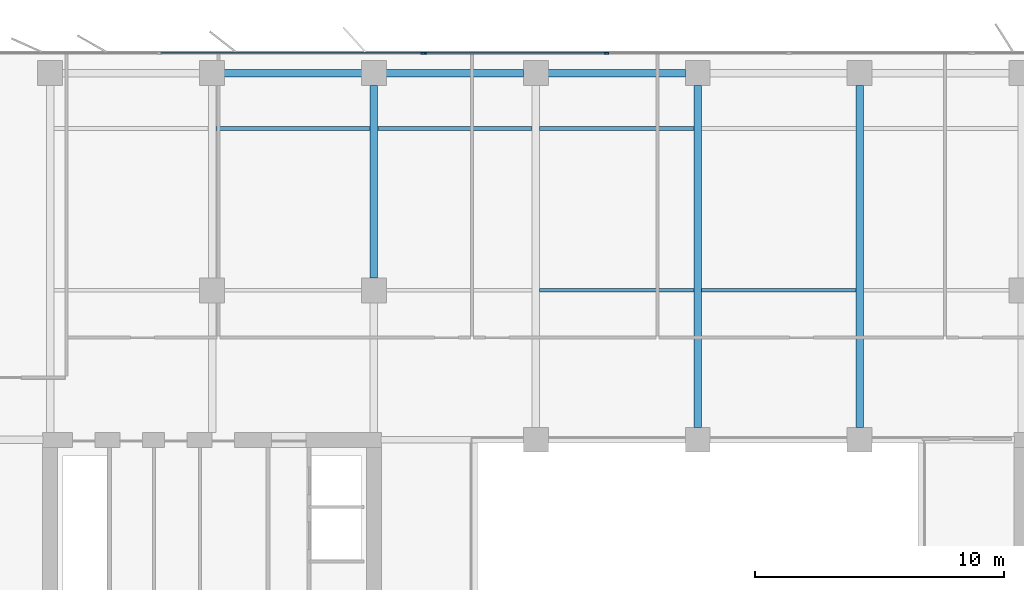
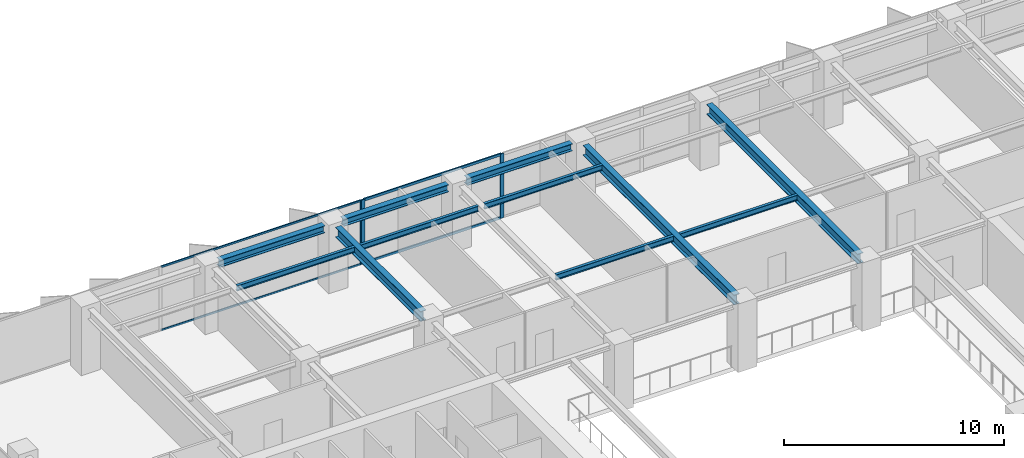
# One storey, part 9 of 22: 11 beams, 7 members, 2 elements without a shape of their own.
"""IFC4 building model written with IfcOpenShell, lengths in metres."""

from ifc_helpers import new_model, si_unit, direction, frame, origin, origin_2d, place, context, subcontext, project, spatial, rectangle, i_section, extrude, material, layer, layer_set, material_profile, profile_set, type_object, element, aggregate, save


model = new_model("IFC4")

# Units and contexts
model_context = context("Model", 3, precision=1e-05, world=origin(), true_north=direction((0.0, 1.0)))
body_context = subcontext(model_context, "Body", "Model", "MODEL_VIEW")
ifc_project = project(units=[si_unit("LENGTHUNIT", "METRE"), si_unit("AREAUNIT", "SQUARE_METRE"), si_unit("VOLUMEUNIT", "CUBIC_METRE"), si_unit("PLANEANGLEUNIT", "RADIAN"), si_unit("MASSUNIT", "GRAM", prefix="KILO")], contexts=[model_context])

# Site, building, storey
site_placement = place(None, origin())
site = spatial("IfcSite", under=ifc_project, at=site_placement, CompositionType="ELEMENT")
building_placement = place(site_placement, origin())
building = spatial("IfcBuilding", under=site, at=building_placement, Name="Putna Gate Headquarters", CompositionType="ELEMENT")
storey_placement = place(building_placement, frame((0.0, 0.0, 182.199951171875)))
storey = spatial("IfcBuildingStorey", under=building, at=storey_placement, Name="L45", CompositionType="ELEMENT", Elevation=182.199951171875)

# Beams
ifc_material_1 = material(Name="Steel S355J2", Category="steel")
ifc_material_profile_1 = material_profile(ifc_material_1, i_section(OverallWidth=0.300048828125, OverallDepth=0.550048828125, WebThickness=0.014892578125, FlangeThickness=0.029052734375, at=origin_2d()), Name="Steel S355J2")
ifc_profile_set_1 = profile_set([ifc_material_profile_1], Name="Steel S355J2")
beam_type_1 = type_object("IfcBeamType", Name="BM-GIRD-Z3-HEB550", PredefinedType="USERDEFINED", material=ifc_profile_set_1)
beam_placement = place(storey_placement, frame((26.0, 39.488037109375, 3.297119140625), z_axis=(0.0, 1.0, 0.0), x_axis=(-1.0, 0.0, 0.0)))
element("IfcBeam", 1, at=beam_placement, inside=storey, type_object=beam_type_1, Name="L45 North Primary Girder X26-2", ObjectType="GIRDER", PredefinedType="USERDEFINED", context=body_context, shape_type="SweptSolid", body=[
    extrude(i_section(OverallWidth=0.300048828125, OverallDepth=0.550048828125, WebThickness=0.014892578125, FlangeThickness=0.029052734375, at=origin_2d()), origin(), (0.0, 0.0, 1.0), 7.743896484375),
])
for number, where, z_axis, x_axis, name in (
    (2, (39.0, 33.488037109375, 3.297119140625), (0.0, 1.0, 0.0), (-1.0, 0.0, 0.0), "L45 North Primary Girder X39"),
    (3, (45.5, 33.488037109375, 3.297119140625), (0.0, 1.0, 0.0), (-1.0, 0.0, 0.0), "L45 North Primary Girder X45"),
):
    element("IfcBeam", number, at=place(storey_placement, frame(where, z_axis=z_axis, x_axis=x_axis)), inside=storey, type_object=beam_type_1, Name=name, ObjectType="GIRDER", PredefinedType="USERDEFINED", context=body_context, shape_type="SweptSolid", body=[
        extrude(i_section(OverallWidth=0.300048828125, OverallDepth=0.550048828125, WebThickness=0.014892578125, FlangeThickness=0.029052734375, at=origin_2d()), origin(), (0.0, 0.0, 1.0), 13.743896484375),
    ])
ifc_material_profile_2 = material_profile(ifc_material_1, i_section(OverallWidth=0.14990234375, OverallDepth=0.300048828125, WebThickness=0.007080078125, FlangeThickness=0.0107421875, at=origin_2d()), Name="Steel S355J2")
ifc_profile_set_2 = profile_set([ifc_material_profile_2], Name="Steel S355J2")
beam_type_2 = type_object("IfcBeamType", Name="BM-SEC-Z3-IPE300", PredefinedType="JOIST", material=ifc_profile_set_2)
for number, where, z_axis, x_axis, name in (
    (4, (19.654052734375, 45.5, 3.422119140625), (1.0, 0.0, 0.0), (0.0, 1.0, 0.0), "L45 North Secondary Beam 2"),
    (5, (26.154052734375, 45.5, 3.422119140625), (1.0, 0.0, 0.0), (0.0, 1.0, 0.0), "L45 North Secondary Beam 3"),
    (6, (32.654052734375, 39.0, 3.422119140625), (1.0, 0.0, 0.0), (0.0, 1.0, 0.0), "L45 North Secondary Beam 4"),
    (7, (32.654052734375, 45.5, 3.422119140625), (1.0, 0.0, 0.0), (0.0, 1.0, 0.0), "L45 North Secondary Beam 4"),
    (8, (39.154052734375, 39.0, 3.422119140625), (1.0, 0.0, 0.0), (0.0, 1.0, 0.0), "L45 North Secondary Beam 5"),
):
    element("IfcBeam", number, at=place(storey_placement, frame(where, z_axis=z_axis, x_axis=x_axis)), inside=storey, type_object=beam_type_2, Name=name, PredefinedType="JOIST", context=body_context, shape_type="SweptSolid", body=[
        extrude(i_section(OverallWidth=0.14990234375, OverallDepth=0.300048828125, WebThickness=0.007080078125, FlangeThickness=0.0107421875, at=origin_2d()), origin(), (0.0, 0.0, 1.0), 6.19189453125),
    ])
ifc_material_profile_3 = material_profile(ifc_material_1, i_section(OverallWidth=0.300048828125, OverallDepth=0.39990234375, WebThickness=0.013427734375, FlangeThickness=0.02392578125, at=origin_2d()), Name="Steel S355J2")
ifc_profile_set_3 = profile_set([ifc_material_profile_3], Name="Steel S355J2")
beam_type_3 = type_object("IfcBeamType", Name="BM-SPAN-Z3-HEB400", PredefinedType="SPANDREL", material=ifc_profile_set_3)
for number, where, z_axis, x_axis, name in (
    (9, (19.988037109375, 47.719970703125, 3.3720703125), (1.0, 0.0, 0.0), (0.0, 1.0, 0.0), "L45 N Perimeter Spandrel 2"),
    (10, (26.488037109375, 47.719970703125, 3.3720703125), (1.0, 0.0, 0.0), (0.0, 1.0, 0.0), "L45 N Perimeter Spandrel 3"),
    (11, (32.988037109375, 47.719970703125, 3.3720703125), (1.0, 0.0, 0.0), (0.0, 1.0, 0.0), "L45 N Perimeter Spandrel 4"),
):
    element("IfcBeam", number, at=place(storey_placement, frame(where, z_axis=z_axis, x_axis=x_axis)), inside=storey, type_object=beam_type_3, Name=name, PredefinedType="SPANDREL", context=body_context, shape_type="SweptSolid", body=[
        extrude(i_section(OverallWidth=0.300048828125, OverallDepth=0.39990234375, WebThickness=0.013427734375, FlangeThickness=0.02392578125, at=origin_2d()), origin(), (0.0, 0.0, 1.0), 5.52392578125),
    ])

# Curtain wall, member
ifc_material_2 = material(Name="Anodised bronze aluminium curtain wall", Category="aluminium")
ifc_layer_1 = layer(ifc_material_2, 0.159912109375)
ifc_layer_set_1 = layer_set([ifc_layer_1], Name="Anodised bronze aluminium curtain wall")
curtain_wall_type_1 = type_object("IfcCurtainWallType", Name="CW-SYS-Z3", PredefinedType="USERDEFINED", material=ifc_layer_set_1)
curtain_wall_1_placement = place(storey_placement, origin())
curtain_wall_1 = element("IfcCurtainWall", 12, at=curtain_wall_1_placement, inside=storey, type_object=curtain_wall_type_1, Name="L45 North West Curtain Wall", ObjectType="STICK CURTAIN WALL", PredefinedType="USERDEFINED")
ifc_material_3 = material(Name="Anodised bronze aluminium EN AW-6060", Category="aluminium")
ifc_material_profile_4 = material_profile(ifc_material_3, rectangle(XDim=0.06494140625, YDim=0.159912109375, at=origin_2d()), Name="Anodised bronze aluminium EN AW-6060")
ifc_profile_set_4 = profile_set([ifc_material_profile_4], Name="Anodised bronze aluminium EN AW-6060")
member_type_1 = type_object("IfcMemberType", Name="MULL-CWM-3", PredefinedType="MULLION", material=ifc_profile_set_4)
member_1_placement = place(storey_placement, frame((27.967529296875, 48.52001953125, 0.0), z_axis=(0.0, 0.0, 1.0), x_axis=(0.0, 1.0, 0.0)))
member_1 = element("IfcMember", 13, at=member_1_placement, type_object=member_type_1, Name="CWS-3 mullion 3", PredefinedType="MULLION", context=body_context, shape_type="SweptSolid", body=[
    extrude(rectangle(XDim=0.06494140625, YDim=0.159912109375, at=origin_2d()), origin(), (0.0, 0.0, 1.0), 3.572021484375),
])

# Curtain wall, members
ifc_layer_2 = layer(ifc_material_2, 0.179931640625)
ifc_layer_set_2 = layer_set([ifc_layer_2], Name="Anodised bronze aluminium curtain wall")
curtain_wall_type_2 = type_object("IfcCurtainWallType", Name="CW-SYS-ATR", PredefinedType="USERDEFINED", material=ifc_layer_set_2)
curtain_wall_2_placement = place(storey_placement, origin())
curtain_wall_2 = element("IfcCurtainWall", 14, at=curtain_wall_2_placement, inside=storey, type_object=curtain_wall_type_2, Name="L45 North Atrium Clear Glazing", ObjectType="ATRIUM GLAZING", PredefinedType="USERDEFINED")
ifc_material_profile_5 = material_profile(ifc_material_3, rectangle(XDim=0.070068359375, YDim=0.179931640625, at=origin_2d()), Name="Anodised bronze aluminium EN AW-6060")
ifc_profile_set_5 = profile_set([ifc_material_profile_5], Name="Anodised bronze aluminium EN AW-6060")
member_type_2 = type_object("IfcMemberType", Name="MULL-CWM-AT", PredefinedType="MULLION", material=ifc_profile_set_5)
member_2_placement = place(storey_placement, frame((28.034912109375, 48.52001953125, 0.0), z_axis=(0.0, 0.0, 1.0), x_axis=(0.0, 1.0, 0.0)))
member_2 = element("IfcMember", 15, at=member_2_placement, type_object=member_type_2, Name="CWS-AT mullion 1", PredefinedType="MULLION", context=body_context, shape_type="SweptSolid", body=[
    extrude(rectangle(XDim=0.070068359375, YDim=0.179931640625, at=origin_2d()), origin(), (0.0, 0.0, 1.0), 3.572021484375),
])
member_3_placement = place(storey_placement, frame((35.333251953125, 48.52001953125, 0.0), z_axis=(0.0, 0.0, 1.0), x_axis=(0.0, 1.0, 0.0)))
member_3 = element("IfcMember", 16, at=member_3_placement, type_object=member_type_2, Name="CWS-AT mullion 2", PredefinedType="MULLION", context=body_context, shape_type="SweptSolid", body=[
    extrude(rectangle(XDim=0.070068359375, YDim=0.179931640625, at=origin_2d()), origin(), (0.0, 0.0, 1.0), 3.572021484375),
])

# Member
ifc_material_profile_6 = material_profile(ifc_material_3, rectangle(XDim=0.06005859375, YDim=0.10009765625, at=origin_2d()), Name="Anodised bronze aluminium EN AW-6060")
ifc_profile_set_6 = profile_set([ifc_material_profile_6], Name="Anodised bronze aluminium EN AW-6060")
member_type_3 = type_object("IfcMemberType", Name="TRAN-CWT-3", PredefinedType="USERDEFINED", material=ifc_profile_set_6)
member_4_placement = place(storey_placement, frame((17.4326171875, 48.52001953125, 0.030029296875), z_axis=(1.0, 0.0, 0.0), x_axis=(0.0, 1.0, 0.0)))
member_4 = element("IfcMember", 17, at=member_4_placement, type_object=member_type_3, Name="CWS-3 transom 2.1", ObjectType="TRANSOM", PredefinedType="USERDEFINED", context=body_context, shape_type="SweptSolid", body=[
    extrude(rectangle(XDim=0.06005859375, YDim=0.10009765625, at=origin_2d()), origin(), (0.0, 0.0, 1.0), 10.50244140625),
])

member_5_placement = place(storey_placement, frame((17.4326171875, 48.52001953125, 3.5419921875), z_axis=(1.0, 0.0, 0.0), x_axis=(0.0, 1.0, 0.0)))
member_5 = element("IfcMember", 18, at=member_5_placement, type_object=member_type_3, Name="CWS-3 transom 2.2", ObjectType="TRANSOM", PredefinedType="USERDEFINED", context=body_context, shape_type="SweptSolid", body=[
    extrude(rectangle(XDim=0.06005859375, YDim=0.10009765625, at=origin_2d()), origin(), (0.0, 0.0, 1.0), 10.50244140625),
])

aggregate(curtain_wall_1, [member_1, member_4, member_5])

ifc_material_profile_7 = material_profile(ifc_material_3, rectangle(XDim=0.070068359375, YDim=0.139892578125, at=origin_2d()), Name="Anodised bronze aluminium EN AW-6060")
ifc_profile_set_7 = profile_set([ifc_material_profile_7], Name="Anodised bronze aluminium EN AW-6060")
member_type_4 = type_object("IfcMemberType", Name="TRAN-CWT-AT", PredefinedType="USERDEFINED", material=ifc_profile_set_7)
member_6_placement = place(storey_placement, frame((28.070068359375, 48.52001953125, 0.03515625), z_axis=(1.0, 0.0, 0.0), x_axis=(0.0, 1.0, 0.0)))
member_6 = element("IfcMember", 19, at=member_6_placement, type_object=member_type_4, Name="CWS-AT transom 1.1", ObjectType="TRANSOM", PredefinedType="USERDEFINED", context=body_context, shape_type="SweptSolid", body=[
    extrude(rectangle(XDim=0.070068359375, YDim=0.139892578125, at=origin_2d()), origin(), (0.0, 0.0, 1.0), 7.228271484375),
])

member_7_placement = place(storey_placement, frame((28.070068359375, 48.52001953125, 3.537109375), z_axis=(1.0, 0.0, 0.0), x_axis=(0.0, 1.0, 0.0)))
member_7 = element("IfcMember", 20, at=member_7_placement, type_object=member_type_4, Name="CWS-AT transom 1.2", ObjectType="TRANSOM", PredefinedType="USERDEFINED", context=body_context, shape_type="SweptSolid", body=[
    extrude(rectangle(XDim=0.070068359375, YDim=0.139892578125, at=origin_2d()), origin(), (0.0, 0.0, 1.0), 7.228271484375),
])

aggregate(curtain_wall_2, [member_2, member_3, member_6, member_7])

save(model, "model.ifc")
